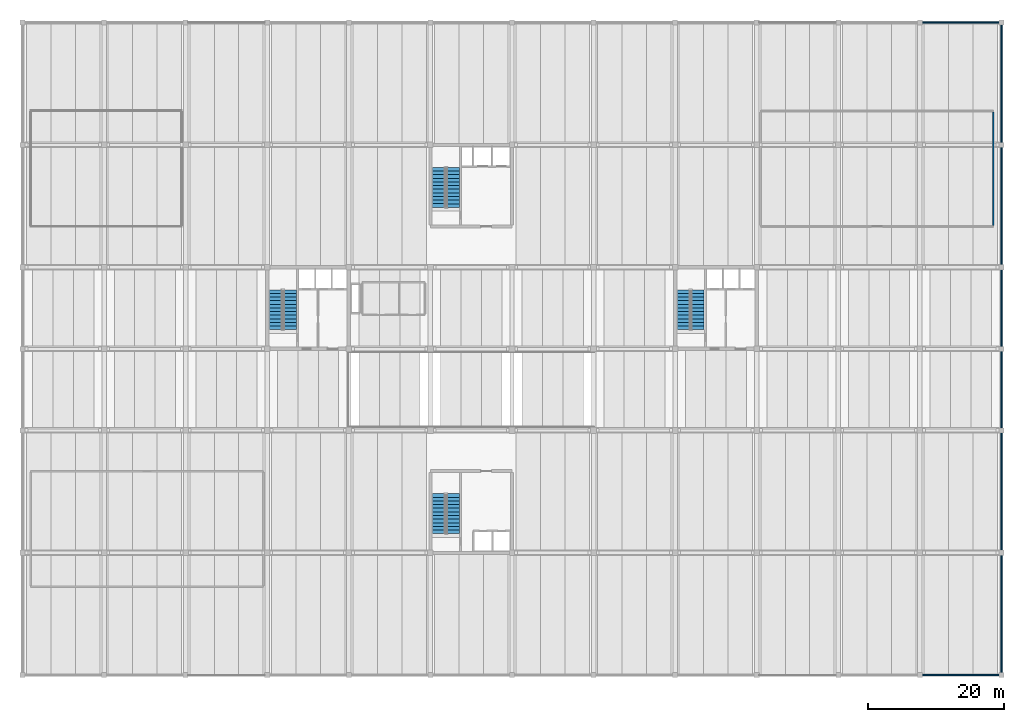
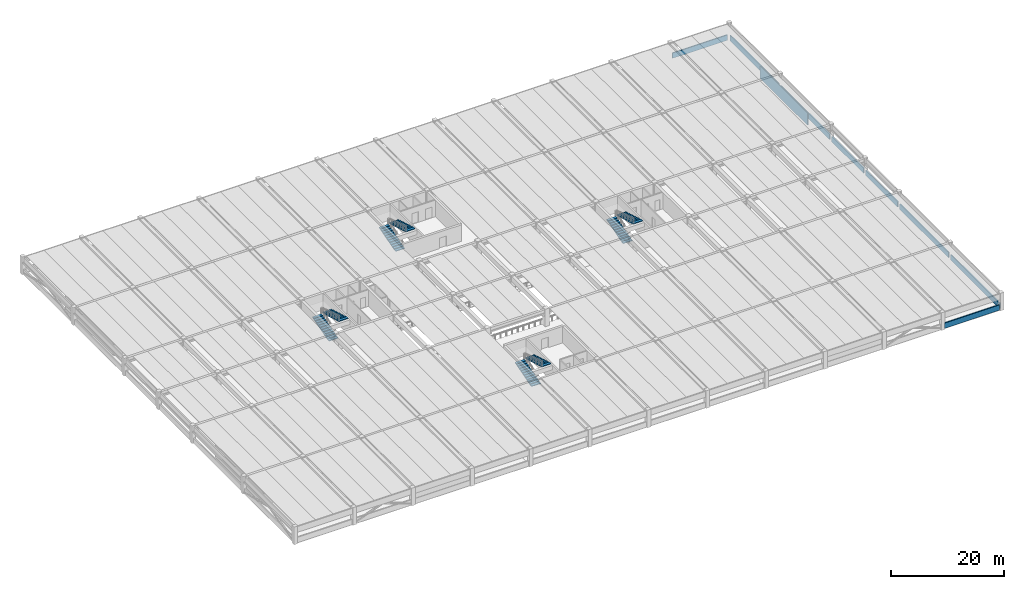
# One storey, part 12 of 16: 9 walls, 8 stair flights, 4 elements without a shape of their own.
"""IFC4 building model written with IfcOpenShell, lengths in metres."""

from ifc_helpers import new_model, si_unit, direction, frame, frame_2d, origin, place, context, subcontext, project, spatial, polyline, rectangle, outline, extrude, material, layer, layer_set, type_object, element, aggregate, save


model = new_model("IFC4")

# Units and contexts
model_context = context("Model", 3, precision=1e-05, world=origin(), true_north=direction((0.0, 1.0)))
body_context = subcontext(model_context, "Body", "Model", "MODEL_VIEW")
ifc_project = project(units=[si_unit("LENGTHUNIT", "METRE"), si_unit("AREAUNIT", "SQUARE_METRE"), si_unit("VOLUMEUNIT", "CUBIC_METRE"), si_unit("PLANEANGLEUNIT", "RADIAN"), si_unit("MASSUNIT", "GRAM", prefix="KILO")], contexts=[model_context])

# Site, building, storey
site_placement = place(None, origin())
site = spatial("IfcSite", under=ifc_project, at=site_placement, CompositionType="ELEMENT")
building_placement = place(site_placement, origin())
building = spatial("IfcBuilding", under=site, at=building_placement, Name="Girod Span Mobility Hub", CompositionType="ELEMENT")
storey_placement = place(building_placement, frame((0.0, 0.0, 28.60009765625)))
storey = spatial("IfcBuildingStorey", under=building, at=storey_placement, Name="L07", CompositionType="ELEMENT", Elevation=28.60009765625)

# Walls
ifc_material_1 = material(Name="Reinforced Concrete Masonry Block", Category="masonry")
ifc_layer_1 = layer(ifc_material_1, 0.179931640625)
ifc_layer_set_1 = layer_set([ifc_layer_1], Name="Reinforced Concrete Masonry Block")
wall_type_1 = type_object("IfcWallType", Name="W-FP-180", PredefinedType="SOLIDWALL", material=ifc_layer_set_1)
wall_placement = place(storey_placement, frame((154.800048828125, 75.159912109375, 0.0), z_axis=(0.0, 0.0, 1.0), x_axis=(0.0, 1.0, 0.0)))
element("IfcWall", 1, at=wall_placement, inside=storey, type_object=wall_type_1, Name="Mechanical Plant EV Cooling Partition E", PredefinedType="SOLIDWALL", context=body_context, shape_type="SweptSolid", body=[
    extrude(rectangle(XDim=16.68017578125, YDim=0.179931640625, at=frame_2d((8.340087890625, 0.0))), origin(), (0.0, 0.0, 1.0), 2.639892578125),
])
ifc_material_2 = material(Name="Precast Architectural Concrete C40/50", Category="concrete")
ifc_layer_2 = layer(ifc_material_2, 0.215087890625)
ifc_layer_set_2 = layer_set([ifc_layer_2], Name="Precast Architectural Concrete C40/50")
wall_type_2 = type_object("IfcWallType", Name="W-PAR-215", PredefinedType="PARAPET", material=ifc_layer_set_2)
for number, where, z_axis, x_axis, name in (
    (2, (144.373046875, 9.0, 0.0), (0.0, 0.0, 1.0), (1.0, 0.0, 0.0), "Precast Parking Barrier Parapet S-13 L07"),
    (3, (144.373046875, 105.0, 0.0), (0.0, 0.0, 1.0), (1.0, 0.0, 0.0), "Precast Parking Barrier Parapet N-13 L07"),
):
    element("IfcWall", number, at=place(storey_placement, frame(where, z_axis=z_axis, x_axis=x_axis)), inside=storey, type_object=wall_type_2, Name=name, PredefinedType="PARAPET", context=body_context, shape_type="SweptSolid", body=[
        extrude(rectangle(XDim=11.25390625, YDim=0.215087890625, at=frame_2d((5.626953125, 0.0))), origin(), (0.0, 0.0, 1.0), 1.14990234375),
    ])
for number, where, z_axis, x_axis, name in (
    (4, (156.0, 9.373046875, 0.0), (0.0, 0.0, 1.0), (0.0, 1.0, 0.0), "Precast Side Barrier Parapet E-B-1 L07"),
    (5, (156.0, 27.373046875, 0.0), (0.0, 0.0, 1.0), (0.0, 1.0, 0.0), "Precast Side Barrier Parapet E-C-1 L07"),
):
    element("IfcWall", number, at=place(storey_placement, frame(where, z_axis=z_axis, x_axis=x_axis)), inside=storey, type_object=wall_type_2, Name=name, PredefinedType="PARAPET", context=body_context, shape_type="SweptSolid", body=[
        extrude(rectangle(XDim=17.25390625, YDim=0.215087890625, at=frame_2d((8.626953125, 0.0))), origin(), (0.0, 0.0, 1.0), 1.14990234375),
    ])
for number, where, z_axis, x_axis, name in (
    (6, (156.0, 45.373046875, 0.0), (0.0, 0.0, 1.0), (0.0, 1.0, 0.0), "Precast Side Barrier Parapet E-D-1 L07"),
    (7, (156.0, 57.373046875, 0.0), (0.0, 0.0, 1.0), (0.0, 1.0, 0.0), "Precast Side Barrier Parapet E-E-1 L07"),
):
    element("IfcWall", number, at=place(storey_placement, frame(where, z_axis=z_axis, x_axis=x_axis)), inside=storey, type_object=wall_type_2, Name=name, PredefinedType="PARAPET", context=body_context, shape_type="SweptSolid", body=[
        extrude(rectangle(XDim=11.25390625, YDim=0.215087890625, at=frame_2d((5.626953125, 0.0))), origin(), (0.0, 0.0, 1.0), 1.14990234375),
    ])
for number, where, z_axis, x_axis, name in (
    (8, (156.0, 69.373046875, 0.0), (0.0, 0.0, 1.0), (0.0, 1.0, 0.0), "Precast Side Barrier Parapet E-F-1 L07"),
    (9, (156.0, 87.373046875, 0.0), (0.0, 0.0, 1.0), (0.0, 1.0, 0.0), "Precast Side Barrier Parapet E-G-1 L07"),
):
    element("IfcWall", number, at=place(storey_placement, frame(where, z_axis=z_axis, x_axis=x_axis)), inside=storey, type_object=wall_type_2, Name=name, PredefinedType="PARAPET", context=body_context, shape_type="SweptSolid", body=[
        extrude(rectangle(XDim=17.25390625, YDim=0.215087890625, at=frame_2d((8.626953125, 0.0))), origin(), (0.0, 0.0, 1.0), 1.14990234375),
    ])

# Stair, stair flights
ifc_material_3 = material(Name="Concrete C40/50", Category="concrete")
stair_type = type_object("IfcStairType", Name="STR-3800-W1860", PredefinedType="HALF_TURN_STAIR", material=ifc_material_3)
stair_1_placement = place(storey_placement, origin())
stair_1 = element("IfcStair", 10, at=stair_1_placement, inside=storey, type_object=stair_type, Name="Exit Stair ST-1 L07", PredefinedType="HALF_TURN_STAIR")
ifc_material_4 = material(Name="Concrete C40/50", Category="concrete")
stair_flight_type = type_object("IfcStairFlightType", Name="STF-1900-W1860", PredefinedType="STRAIGHT", material=ifc_material_4)
stair_flight_1_placement = place(storey_placement, frame((49.25, 59.81005859375, 0.0), z_axis=(0.0, 0.0, 1.0), x_axis=(0.0, 1.0, 0.0)))
stair_flight_1 = element("IfcStairFlight", 11, at=stair_flight_1_placement, type_object=stair_flight_type, Name="Stair ST-1 Flight 1 L07", NumberOfRisers=12, NumberOfTreads=11, PredefinedType="STRAIGHT", RiserHeight=0.15833, TreadLength=0.53455, context=body_context, shape_type="SweptSolid", body=[
    extrude(outline(polyline([(0.0, 0.0), (0.0, 0.158447265625), (0.53466796875, 0.158447265625), (0.53466796875, 0.316650390625), (1.069091796875, 0.316650390625), (1.069091796875, 0.47509765625), (1.603759765625, 0.47509765625), (1.603759765625, 0.63330078125), (2.13818359375, 0.63330078125), (2.13818359375, 0.791748046875), (2.6728515625, 0.791748046875), (2.6728515625, 0.949951171875), (3.207275390625, 0.949951171875), (3.207275390625, 1.1083984375), (3.741943359375, 1.1083984375), (3.741943359375, 1.2666015625), (4.2763671875, 1.2666015625), (4.2763671875, 1.425048828125), (4.81103515625, 1.425048828125), (4.81103515625, 1.583251953125), (5.345458984375, 1.583251953125), (5.345458984375, 1.74169921875), (5.880126953125, 1.74169921875), (5.880126953125, 1.89990234375), (5.880126953125, 1.54345703125), (0.668701171875, 0.0), (0.0, 0.0)])), frame((0.0, 0.93017578125, 0.0), z_axis=(0.0, -1.0, 0.0), x_axis=(1.0, 0.0, 0.0)), (0.0, 0.0, 1.0), 1.860107421875),
])
stair_flight_2_placement = place(storey_placement, frame((51.35009765625, 65.68994140625, 1.89990234375), z_axis=(0.0, 0.0, 1.0), x_axis=(0.0, -1.0, 0.0)))
stair_flight_2 = element("IfcStairFlight", 12, at=stair_flight_2_placement, type_object=stair_flight_type, Name="Stair ST-1 Flight 2 L07", NumberOfRisers=12, NumberOfTreads=11, PredefinedType="STRAIGHT", RiserHeight=0.15833, TreadLength=0.53455, context=body_context, shape_type="SweptSolid", body=[
    extrude(outline(polyline([(0.0, 0.0), (0.0, 0.158447265625), (0.53466796875, 0.158447265625), (0.53466796875, 0.316650390625), (1.069091796875, 0.316650390625), (1.069091796875, 0.47509765625), (1.603759765625, 0.47509765625), (1.603759765625, 0.63330078125), (2.13818359375, 0.63330078125), (2.13818359375, 0.791748046875), (2.6728515625, 0.791748046875), (2.6728515625, 0.949951171875), (3.207275390625, 0.949951171875), (3.207275390625, 1.1083984375), (3.741943359375, 1.1083984375), (3.741943359375, 1.2666015625), (4.2763671875, 1.2666015625), (4.2763671875, 1.425048828125), (4.81103515625, 1.425048828125), (4.81103515625, 1.583251953125), (5.345458984375, 1.583251953125), (5.345458984375, 1.74169921875), (5.880126953125, 1.74169921875), (5.880126953125, 1.89990234375), (5.880126953125, 1.54345703125), (0.668701171875, 0.0), (0.0, 0.0)])), frame((0.0, 0.93017578125, 0.0), z_axis=(0.0, -1.0, 0.0), x_axis=(1.0, 0.0, 0.0)), (0.0, 0.0, 1.0), 1.860107421875),
])
aggregate(stair_1, [stair_flight_1, stair_flight_2])

stair_2_placement = place(storey_placement, origin())
stair_2 = element("IfcStair", 13, at=stair_2_placement, inside=storey, type_object=stair_type, Name="Exit Stair ST-2 L07", PredefinedType="HALF_TURN_STAIR")
stair_flight_3_placement = place(storey_placement, frame((109.25, 59.81005859375, 0.0), z_axis=(0.0, 0.0, 1.0), x_axis=(0.0, 1.0, 0.0)))
stair_flight_3 = element("IfcStairFlight", 14, at=stair_flight_3_placement, type_object=stair_flight_type, Name="Stair ST-2 Flight 1 L07", NumberOfRisers=12, NumberOfTreads=11, PredefinedType="STRAIGHT", RiserHeight=0.15833, TreadLength=0.53455, context=body_context, shape_type="SweptSolid", body=[
    extrude(outline(polyline([(0.0, 0.0), (0.0, 0.158447265625), (0.53466796875, 0.158447265625), (0.53466796875, 0.316650390625), (1.069091796875, 0.316650390625), (1.069091796875, 0.47509765625), (1.603759765625, 0.47509765625), (1.603759765625, 0.63330078125), (2.13818359375, 0.63330078125), (2.13818359375, 0.791748046875), (2.6728515625, 0.791748046875), (2.6728515625, 0.949951171875), (3.207275390625, 0.949951171875), (3.207275390625, 1.1083984375), (3.741943359375, 1.1083984375), (3.741943359375, 1.2666015625), (4.2763671875, 1.2666015625), (4.2763671875, 1.425048828125), (4.81103515625, 1.425048828125), (4.81103515625, 1.583251953125), (5.345458984375, 1.583251953125), (5.345458984375, 1.74169921875), (5.880126953125, 1.74169921875), (5.880126953125, 1.89990234375), (5.880126953125, 1.54345703125), (0.668701171875, 0.0), (0.0, 0.0)])), frame((0.0, 0.93017578125, 0.0), z_axis=(0.0, -1.0, 0.0), x_axis=(1.0, 0.0, 0.0)), (0.0, 0.0, 1.0), 1.860107421875),
])
stair_flight_4_placement = place(storey_placement, frame((111.35009765625, 65.68994140625, 1.89990234375), z_axis=(0.0, 0.0, 1.0), x_axis=(0.0, -1.0, 0.0)))
stair_flight_4 = element("IfcStairFlight", 15, at=stair_flight_4_placement, type_object=stair_flight_type, Name="Stair ST-2 Flight 2 L07", NumberOfRisers=12, NumberOfTreads=11, PredefinedType="STRAIGHT", RiserHeight=0.15833, TreadLength=0.53455, context=body_context, shape_type="SweptSolid", body=[
    extrude(outline(polyline([(0.0, 0.0), (0.0, 0.158447265625), (0.53466796875, 0.158447265625), (0.53466796875, 0.316650390625), (1.069091796875, 0.316650390625), (1.069091796875, 0.47509765625), (1.603759765625, 0.47509765625), (1.603759765625, 0.63330078125), (2.13818359375, 0.63330078125), (2.13818359375, 0.791748046875), (2.6728515625, 0.791748046875), (2.6728515625, 0.949951171875), (3.207275390625, 0.949951171875), (3.207275390625, 1.1083984375), (3.741943359375, 1.1083984375), (3.741943359375, 1.2666015625), (4.2763671875, 1.2666015625), (4.2763671875, 1.425048828125), (4.81103515625, 1.425048828125), (4.81103515625, 1.583251953125), (5.345458984375, 1.583251953125), (5.345458984375, 1.74169921875), (5.880126953125, 1.74169921875), (5.880126953125, 1.89990234375), (5.880126953125, 1.54345703125), (0.668701171875, 0.0), (0.0, 0.0)])), frame((0.0, 0.93017578125, 0.0), z_axis=(0.0, -1.0, 0.0), x_axis=(1.0, 0.0, 0.0)), (0.0, 0.0, 1.0), 1.860107421875),
])
aggregate(stair_2, [stair_flight_3, stair_flight_4])

stair_3_placement = place(storey_placement, origin())
stair_3 = element("IfcStair", 16, at=stair_3_placement, inside=storey, type_object=stair_type, Name="Exit Stair ST-3 L07", PredefinedType="HALF_TURN_STAIR")
stair_flight_5_placement = place(storey_placement, frame((73.25, 29.81005859375, 0.0), z_axis=(0.0, 0.0, 1.0), x_axis=(0.0, 1.0, 0.0)))
stair_flight_5 = element("IfcStairFlight", 17, at=stair_flight_5_placement, type_object=stair_flight_type, Name="Stair ST-3 Flight 1 L07", NumberOfRisers=12, NumberOfTreads=11, PredefinedType="STRAIGHT", RiserHeight=0.15833, TreadLength=0.53455, context=body_context, shape_type="SweptSolid", body=[
    extrude(outline(polyline([(0.0, 0.0), (0.0, 0.158447265625), (0.53466796875, 0.158447265625), (0.53466796875, 0.316650390625), (1.069091796875, 0.316650390625), (1.069091796875, 0.47509765625), (1.603759765625, 0.47509765625), (1.603759765625, 0.63330078125), (2.13818359375, 0.63330078125), (2.13818359375, 0.791748046875), (2.6728515625, 0.791748046875), (2.6728515625, 0.949951171875), (3.207275390625, 0.949951171875), (3.207275390625, 1.1083984375), (3.741943359375, 1.1083984375), (3.741943359375, 1.2666015625), (4.2763671875, 1.2666015625), (4.2763671875, 1.425048828125), (4.81103515625, 1.425048828125), (4.81103515625, 1.583251953125), (5.345458984375, 1.583251953125), (5.345458984375, 1.74169921875), (5.880126953125, 1.74169921875), (5.880126953125, 1.89990234375), (5.880126953125, 1.54345703125), (0.668701171875, 0.0), (0.0, 0.0)])), frame((0.0, 0.93017578125, 0.0), z_axis=(0.0, -1.0, 0.0), x_axis=(1.0, 0.0, 0.0)), (0.0, 0.0, 1.0), 1.860107421875),
])
stair_flight_6_placement = place(storey_placement, frame((75.35009765625, 35.68994140625, 1.89990234375), z_axis=(0.0, 0.0, 1.0), x_axis=(0.0, -1.0, 0.0)))
stair_flight_6 = element("IfcStairFlight", 18, at=stair_flight_6_placement, type_object=stair_flight_type, Name="Stair ST-3 Flight 2 L07", NumberOfRisers=12, NumberOfTreads=11, PredefinedType="STRAIGHT", RiserHeight=0.15833, TreadLength=0.53455, context=body_context, shape_type="SweptSolid", body=[
    extrude(outline(polyline([(0.0, 0.0), (0.0, 0.158447265625), (0.53466796875, 0.158447265625), (0.53466796875, 0.316650390625), (1.069091796875, 0.316650390625), (1.069091796875, 0.47509765625), (1.603759765625, 0.47509765625), (1.603759765625, 0.63330078125), (2.13818359375, 0.63330078125), (2.13818359375, 0.791748046875), (2.6728515625, 0.791748046875), (2.6728515625, 0.949951171875), (3.207275390625, 0.949951171875), (3.207275390625, 1.1083984375), (3.741943359375, 1.1083984375), (3.741943359375, 1.2666015625), (4.2763671875, 1.2666015625), (4.2763671875, 1.425048828125), (4.81103515625, 1.425048828125), (4.81103515625, 1.583251953125), (5.345458984375, 1.583251953125), (5.345458984375, 1.74169921875), (5.880126953125, 1.74169921875), (5.880126953125, 1.89990234375), (5.880126953125, 1.54345703125), (0.668701171875, 0.0), (0.0, 0.0)])), frame((0.0, 0.93017578125, 0.0), z_axis=(0.0, -1.0, 0.0), x_axis=(1.0, 0.0, 0.0)), (0.0, 0.0, 1.0), 1.860107421875),
])
aggregate(stair_3, [stair_flight_5, stair_flight_6])

stair_4_placement = place(storey_placement, origin())
stair_4 = element("IfcStair", 19, at=stair_4_placement, inside=storey, type_object=stair_type, Name="Exit Stair ST-4 L07", PredefinedType="HALF_TURN_STAIR")
stair_flight_7_placement = place(storey_placement, frame((73.25, 77.81005859375, 0.0), z_axis=(0.0, 0.0, 1.0), x_axis=(0.0, 1.0, 0.0)))
stair_flight_7 = element("IfcStairFlight", 20, at=stair_flight_7_placement, type_object=stair_flight_type, Name="Stair ST-4 Flight 1 L07", NumberOfRisers=12, NumberOfTreads=11, PredefinedType="STRAIGHT", RiserHeight=0.15833, TreadLength=0.53455, context=body_context, shape_type="SweptSolid", body=[
    extrude(outline(polyline([(0.0, 0.0), (0.0, 0.158447265625), (0.53466796875, 0.158447265625), (0.53466796875, 0.316650390625), (1.069091796875, 0.316650390625), (1.069091796875, 0.47509765625), (1.603759765625, 0.47509765625), (1.603759765625, 0.63330078125), (2.13818359375, 0.63330078125), (2.13818359375, 0.791748046875), (2.6728515625, 0.791748046875), (2.6728515625, 0.949951171875), (3.207275390625, 0.949951171875), (3.207275390625, 1.1083984375), (3.741943359375, 1.1083984375), (3.741943359375, 1.2666015625), (4.2763671875, 1.2666015625), (4.2763671875, 1.425048828125), (4.81103515625, 1.425048828125), (4.81103515625, 1.583251953125), (5.345458984375, 1.583251953125), (5.345458984375, 1.74169921875), (5.880126953125, 1.74169921875), (5.880126953125, 1.89990234375), (5.880126953125, 1.54345703125), (0.668701171875, 0.0), (0.0, 0.0)])), frame((0.0, 0.93017578125, 0.0), z_axis=(0.0, -1.0, 0.0), x_axis=(1.0, 0.0, 0.0)), (0.0, 0.0, 1.0), 1.860107421875),
])
stair_flight_8_placement = place(storey_placement, frame((75.35009765625, 83.68994140625, 1.89990234375), z_axis=(0.0, 0.0, 1.0), x_axis=(0.0, -1.0, 0.0)))
stair_flight_8 = element("IfcStairFlight", 21, at=stair_flight_8_placement, type_object=stair_flight_type, Name="Stair ST-4 Flight 2 L07", NumberOfRisers=12, NumberOfTreads=11, PredefinedType="STRAIGHT", RiserHeight=0.15833, TreadLength=0.53455, context=body_context, shape_type="SweptSolid", body=[
    extrude(outline(polyline([(0.0, 0.0), (0.0, 0.158447265625), (0.53466796875, 0.158447265625), (0.53466796875, 0.316650390625), (1.069091796875, 0.316650390625), (1.069091796875, 0.47509765625), (1.603759765625, 0.47509765625), (1.603759765625, 0.63330078125), (2.13818359375, 0.63330078125), (2.13818359375, 0.791748046875), (2.6728515625, 0.791748046875), (2.6728515625, 0.949951171875), (3.207275390625, 0.949951171875), (3.207275390625, 1.1083984375), (3.741943359375, 1.1083984375), (3.741943359375, 1.2666015625), (4.2763671875, 1.2666015625), (4.2763671875, 1.425048828125), (4.81103515625, 1.425048828125), (4.81103515625, 1.583251953125), (5.345458984375, 1.583251953125), (5.345458984375, 1.74169921875), (5.880126953125, 1.74169921875), (5.880126953125, 1.89990234375), (5.880126953125, 1.54345703125), (0.668701171875, 0.0), (0.0, 0.0)])), frame((0.0, 0.93017578125, 0.0), z_axis=(0.0, -1.0, 0.0), x_axis=(1.0, 0.0, 0.0)), (0.0, 0.0, 1.0), 1.860107421875),
])
aggregate(stair_4, [stair_flight_7, stair_flight_8])

save(model, "model.ifc")
